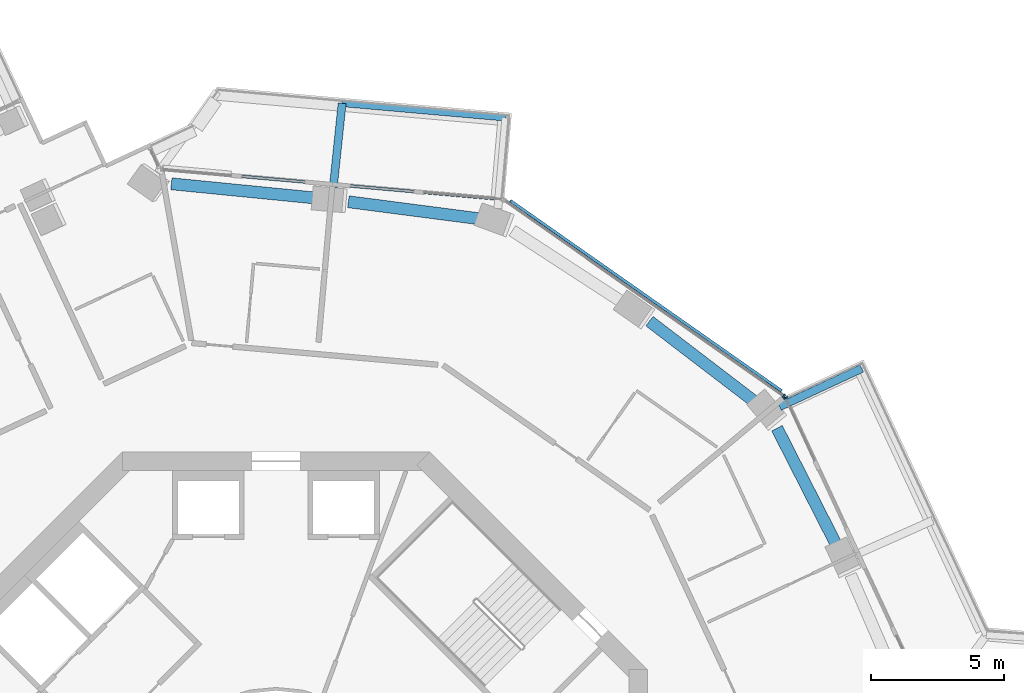
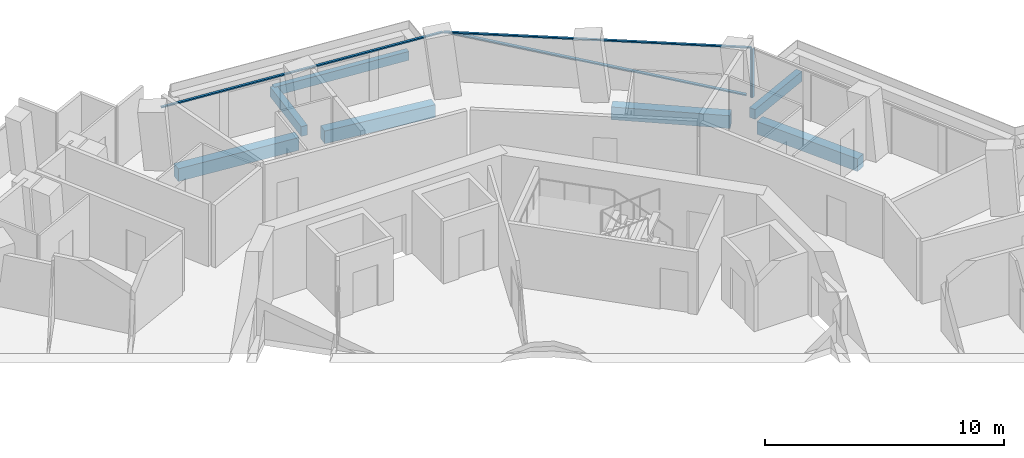
# One storey, part 8 of 23: 7 beams, 5 members, 3 elements without a shape of their own.
"""IFC4 building model written with IfcOpenShell, lengths in metres."""

from ifc_helpers import new_model, si_unit, direction, frame, origin, origin_2d, place, context, subcontext, project, spatial, rectangle, extrude, material, layer, layer_set, material_profile, profile_set, type_object, element, aggregate, save


model = new_model("IFC4")

# Units and contexts
model_context = context("Model", 3, precision=1e-05, world=origin(), true_north=direction((0.0, 1.0)))
body_context = subcontext(model_context, "Body", "Model", "MODEL_VIEW")
ifc_project = project(units=[si_unit("LENGTHUNIT", "METRE"), si_unit("AREAUNIT", "SQUARE_METRE"), si_unit("VOLUMEUNIT", "CUBIC_METRE"), si_unit("PLANEANGLEUNIT", "RADIAN"), si_unit("MASSUNIT", "GRAM", prefix="KILO")], contexts=[model_context])

# Site, building, storey
site_placement = place(None, origin())
site = spatial("IfcSite", under=ifc_project, at=site_placement, CompositionType="ELEMENT")
building_placement = place(site_placement, origin())
building = spatial("IfcBuilding", under=site, at=building_placement, Name="Verdalira Terraces Hotel", CompositionType="ELEMENT")
storey_placement = place(building_placement, frame((0.0, 0.0, 136.5)))
storey = spatial("IfcBuildingStorey", under=building, at=storey_placement, Name="L32", CompositionType="ELEMENT", Elevation=136.5)

# Beams
ifc_material_1 = material(Name="Concrete C40", Category="concrete")
ifc_material_profile_1 = material_profile(ifc_material_1, rectangle(XDim=0.300049, YDim=0.5, at=origin_2d()), Name="RC 300X500")
ifc_profile_set_1 = profile_set([ifc_material_profile_1], Name="Concrete C40")
beam_type_1 = type_object("IfcBeamType", Name="Balcony cantilever beam RC 300X500 C40", PredefinedType="BEAM", material=ifc_profile_set_1)
beam_1_placement = place(storey_placement, frame((18.986816, 15.705811, -0.560059), z_axis=(0.906620703, 0.421946562, 0.0), x_axis=(-0.421946562, 0.906620703, 0.0)))
element("IfcBeam", 1, at=beam_1_placement, inside=storey, type_object=beam_type_1, Name="Balcony cantilever beam R38-4", PredefinedType="BEAM", context=body_context, shape_type="SweptSolid", body=[
    extrude(rectangle(XDim=0.300049, YDim=0.5, at=origin_2d()), origin(), (0.0, 0.0, 1.0), 3.417236),
])
beam_2_placement = place(storey_placement, frame((2.156006, 23.961182, -0.560059), z_axis=(0.104494204, 0.994525496, 0.0), x_axis=(-0.994525496, 0.104494204, 0.0)))
element("IfcBeam", 2, at=beam_2_placement, inside=storey, type_object=beam_type_1, Name="Balcony cantilever beam R41-3", PredefinedType="BEAM", context=body_context, shape_type="SweptSolid", body=[
    extrude(rectangle(XDim=0.300049, YDim=0.5, at=origin_2d()), origin(), (0.0, 0.0, 1.0), 3.200928),
])
ifc_material_2 = material(Name="Concrete C40", Category="concrete")
ifc_material_profile_2 = material_profile(ifc_material_2, rectangle(XDim=0.25, YDim=0.449951, at=origin_2d()), Name="RC 250X450")
ifc_profile_set_2 = profile_set([ifc_material_profile_2], Name="Concrete C40")
beam_type_2 = type_object("IfcBeamType", Name="Balcony edge beam RC 250X450 C40", PredefinedType="BEAM", material=ifc_profile_set_2)
beam_3_placement = place(storey_placement, frame((8.666504, 26.599854, -0.534912), z_axis=(-0.996133601, 0.087851289, 0.0), x_axis=(-0.087851289, -0.996133601, 0.0)))
element("IfcBeam", 3, at=beam_3_placement, inside=storey, type_object=beam_type_2, Name="Balcony edge beam R41-1", PredefinedType="BEAM", context=body_context, shape_type="SweptSolid", body=[
    extrude(rectangle(XDim=0.25, YDim=0.449951, at=origin_2d()), origin(), (0.0, 0.0, 1.0), 6.199951),
])

# Curtain wall, member
ifc_material_3 = material(Name="Clear glass", Category="glass")
ifc_layer = layer(ifc_material_3, 0.14990234375)
ifc_layer_set = layer_set([ifc_layer], Name="CW1 curtain wall")
curtain_wall_type = type_object("IfcCurtainWallType", Name="CW1 curtain wall", PredefinedType="NOTDEFINED", material=ifc_layer_set)
curtain_wall_1_placement = place(storey_placement, origin())
curtain_wall_1 = element("IfcCurtainWall", 4, at=curtain_wall_1_placement, inside=storey, type_object=curtain_wall_type, Name="CW1 curtain wall L32 edge 39", PredefinedType="NOTDEFINED")
ifc_material_4 = material(Name="Terracotta frame", Category="masonry")
ifc_material_profile_3 = material_profile(ifc_material_4, rectangle(XDim=0.060059, YDim=0.149902, at=origin_2d()), Name="MU 60x150")
ifc_profile_set_3 = profile_set([ifc_material_profile_3], Name="Terracotta frame")
member_type_1 = type_object("IfcMemberType", Name="CW1 mullion 60x150", PredefinedType="MULLION", material=ifc_profile_set_3)
member_1_placement = place(storey_placement, frame((19.211426, 16.03418, 0.0), z_axis=(0.0, 0.0, 1.0), x_axis=(-0.421985437, 0.906602609, 0.0)))
member_1 = element("IfcMember", 5, at=member_1_placement, type_object=member_type_1, Name="CW1 mullion", PredefinedType="MULLION", context=body_context, shape_type="SweptSolid", body=[
    extrude(rectangle(XDim=0.060059, YDim=0.149902, at=origin_2d()), origin(), (0.0, 0.0, 1.0), 2.475098),
])
aggregate(curtain_wall_1, [member_1])

# Curtain wall, members
curtain_wall_2_placement = place(storey_placement, origin())
curtain_wall_2 = element("IfcCurtainWall", 6, at=curtain_wall_2_placement, inside=storey, type_object=curtain_wall_type, Name="CW1 curtain wall L32 edge 40", PredefinedType="NOTDEFINED")
member_2_placement = place(storey_placement, frame((19.14917, 16.108398, 0.0), z_axis=(0.0, 0.0, 1.0), x_axis=(-0.818751413, 0.574148173, 0.0)))
member_2 = element("IfcMember", 7, at=member_2_placement, type_object=member_type_1, Name="CW1 mullion", PredefinedType="MULLION", context=body_context, shape_type="SweptSolid", body=[
    extrude(rectangle(XDim=0.060059, YDim=0.149902, at=origin_2d()), origin(), (0.0, 0.0, 1.0), 2.475098),
])
ifc_material_5 = material(Name="Terracotta frame", Category="masonry")
ifc_material_profile_4 = material_profile(ifc_material_5, rectangle(XDim=0.110107, YDim=0.064941, at=origin_2d()), Name="TR 65x110")
ifc_profile_set_4 = profile_set([ifc_material_profile_4], Name="Terracotta frame")
member_type_2 = type_object("IfcMemberType", Name="CW1 transom 65x110", PredefinedType="USERDEFINED", material=ifc_profile_set_4)
member_3_placement = place(storey_placement, frame((19.173828, 16.091309, 2.507568), z_axis=(-0.818751344, 0.57414827, 0.0), x_axis=(-0.57414827, -0.818751344, 0.0)))
member_3 = element("IfcMember", 8, at=member_3_placement, type_object=member_type_2, Name="CW1 transom", ObjectType="TRANSOM", PredefinedType="USERDEFINED", context=body_context, shape_type="SweptSolid", body=[
    extrude(rectangle(XDim=0.110107, YDim=0.064941, at=origin_2d()), origin(), (0.0, 0.0, 1.0), 12.919434),
])

# Curtain wall, member
curtain_wall_3_placement = place(storey_placement, origin())
curtain_wall_3 = element("IfcCurtainWall", 9, at=curtain_wall_3_placement, inside=storey, type_object=curtain_wall_type, Name="CW1 curtain wall L32 edge 41", PredefinedType="NOTDEFINED")
member_4_placement = place(storey_placement, frame((8.559326, 23.522217, 2.507568), z_axis=(-0.996132663, 0.087861923, 0.0), x_axis=(-0.087861923, -0.996132663, 0.0)))
member_4 = element("IfcMember", 10, at=member_4_placement, type_object=member_type_2, Name="CW1 transom", ObjectType="TRANSOM", PredefinedType="USERDEFINED", context=body_context, shape_type="SweptSolid", body=[
    extrude(rectangle(XDim=0.110107, YDim=0.064941, at=origin_2d()), origin(), (0.0, 0.0, 1.0), 12.959717),
])
aggregate(curtain_wall_3, [member_4])

# Member
ifc_material_6 = material(Name="Terracotta frame", Category="masonry")
ifc_material_profile_5 = material_profile(ifc_material_6, rectangle(XDim=0.149902, YDim=0.060059, at=origin_2d()), Name="GB 60x150")
ifc_profile_set_5 = profile_set([ifc_material_profile_5], Name="Terracotta frame")
member_type_3 = type_object("IfcMemberType", Name="Diagonal glazing bar 60x150", PredefinedType="USERDEFINED", material=ifc_profile_set_5)
member_5_placement = place(storey_placement, frame((19.049561, 16.287109, 0.029785), z_axis=(-0.803871056, 0.563694165, 0.1898426), x_axis=(-0.574135077, -0.818760596, 0.0)))
member_5 = element("IfcMember", 11, at=member_5_placement, type_object=member_type_3, Name="Diagonal glazing bar", ObjectType="GLAZING BAR", PredefinedType="USERDEFINED", context=body_context, shape_type="SweptSolid", body=[
    extrude(rectangle(XDim=0.149902, YDim=0.060059, at=origin_2d()), origin(), (0.0, 0.0, 1.0), 12.722656),
])

aggregate(curtain_wall_2, [member_2, member_3, member_5])

# Beams
ifc_material_7 = material(Name="Concrete C50", Category="concrete")
ifc_material_profile_6 = material_profile(ifc_material_7, rectangle(XDim=0.449951, YDim=0.649902, at=origin_2d()), Name="RC 450X650")
ifc_profile_set_6 = profile_set([ifc_material_profile_6], Name="Concrete C50")
beam_type_3 = type_object("IfcBeamType", Name="Spandrel beam RC 450X650 C50", PredefinedType="SPANDREL", material=ifc_profile_set_6)
beam_4_placement = place(storey_placement, frame((21.162109, 10.429688, -0.63501), z_axis=(-0.453709063, 0.891149867, 0.0), x_axis=(-0.891149867, -0.453709063, 0.0)))
element("IfcBeam", 12, at=beam_4_placement, inside=storey, type_object=beam_type_3, Name="Spandrel beam B19", PredefinedType="SPANDREL", context=body_context, shape_type="SweptSolid", body=[
    extrude(rectangle(XDim=0.449951, YDim=0.649902, at=origin_2d()), origin(), (0.0, 0.0, 1.0), 5.012451),
])
for number, where, z_axis, x_axis, name in (
    (13, (18.062256, 15.884766, -0.63501), (-0.794303942, 0.607520574, 0.0), (-0.607520574, -0.794303942, 0.0), "Spandrel beam B20"),
    (14, (7.699951, 22.787842, -0.63501), (-0.991650825, 0.12895209, 0.0), (-0.12895209, -0.991650825, 0.0), "Spandrel beam B22"),
):
    element("IfcBeam", number, at=place(storey_placement, frame(where, z_axis=z_axis, x_axis=x_axis)), inside=storey, type_object=beam_type_3, Name=name, PredefinedType="SPANDREL", context=body_context, shape_type="SweptSolid", body=[
        extrude(rectangle(XDim=0.449951, YDim=0.649902, at=origin_2d()), origin(), (0.0, 0.0, 1.0), 5.015381),
    ])
beam_5_placement = place(storey_placement, frame((1.570312, 23.566895, -0.63501), z_axis=(-0.995172275, 0.098143483, 0.0), x_axis=(-0.098143483, -0.995172275, 0.0)))
element("IfcBeam", 15, at=beam_5_placement, inside=storey, type_object=beam_type_3, Name="Spandrel beam B23", PredefinedType="SPANDREL", context=body_context, shape_type="SweptSolid", body=[
    extrude(rectangle(XDim=0.449951, YDim=0.649902, at=origin_2d()), origin(), (0.0, 0.0, 1.0), 5.544922),
])

save(model, "model.ifc")
